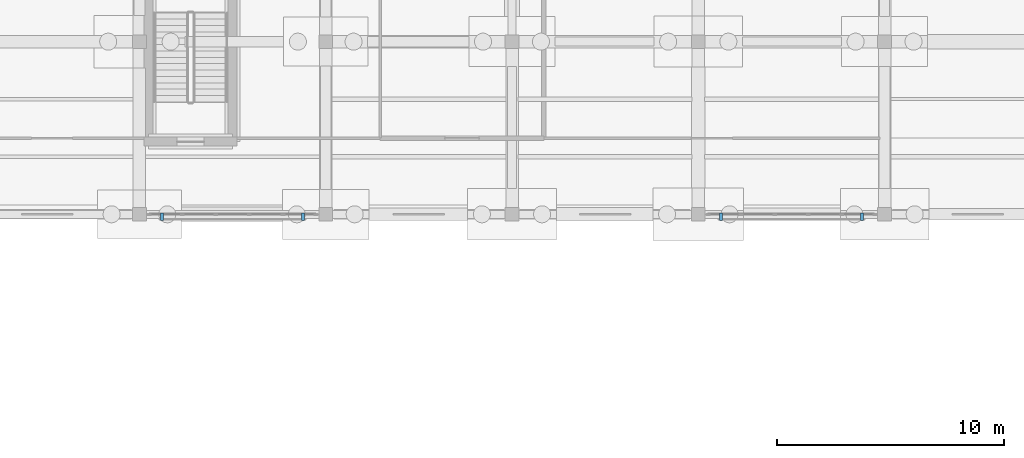
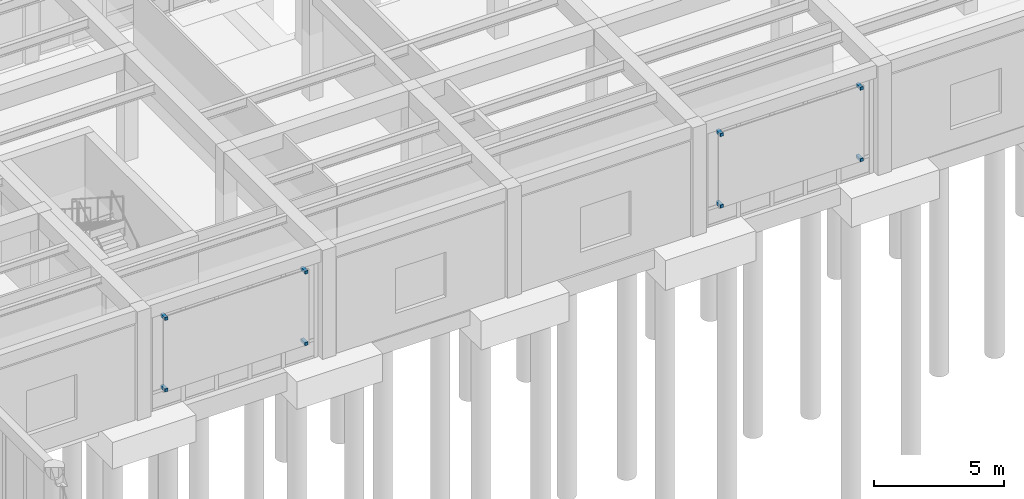
# One storey, part 52 of 64: 8 discrete accessories.
"""IFC4 building model written with IfcOpenShell, lengths in metres."""

from ifc_helpers import new_model, si_unit, direction, frame, origin, origin_2d, place, context, subcontext, project, spatial, rectangle, extrude, material, type_object, element, save


model = new_model("IFC4")

# Units and contexts
model_context = context("Model", 3, precision=1e-05, world=origin(), true_north=direction((0.0, 1.0)))
body_context = subcontext(model_context, "Body", "Model", "MODEL_VIEW")
ifc_project = project(units=[si_unit("LENGTHUNIT", "METRE"), si_unit("AREAUNIT", "SQUARE_METRE"), si_unit("VOLUMEUNIT", "CUBIC_METRE"), si_unit("PLANEANGLEUNIT", "RADIAN"), si_unit("MASSUNIT", "GRAM", prefix="KILO")], contexts=[model_context])

# Site, building, storey
site_placement = place(None, origin())
site = spatial("IfcSite", under=ifc_project, at=site_placement, CompositionType="ELEMENT")
building_placement = place(site_placement, origin())
building = spatial("IfcBuilding", under=site, at=building_placement, Name="Qandaris Square Conservatory and Botanical Centre", CompositionType="ELEMENT")
storey_placement = place(building_placement, origin())
storey = spatial("IfcBuildingStorey", under=building, at=storey_placement, Name="L00", CompositionType="ELEMENT", Elevation=0.0)

# Discrete accessories
ifc_material = material(Name="Steel S355", Category="steel")
discrete_accessory_type = type_object("IfcDiscreteAccessoryType", Name="Mashrabiya Support Outrigger Bracket", PredefinedType="BRACKET", material=ifc_material)
for number, where, z_axis, x_axis, name in (
    (1, (66.39990234375, 92.489990234375, 0.89990234375), (0.0, 0.0, 1.0), (1.0, 0.0, 0.0), "Mashrabiya Bracket CW-V3B-L00-1-2-BRK-6-10"),
    (2, (66.39990234375, 92.489990234375, 4.25), (0.0, 0.0, 1.0), (1.0, 0.0, 0.0), "Mashrabiya Bracket CW-V3B-L00-1-2-BRK-6-43"),
    (3, (72.60009765625, 92.489990234375, 0.89990234375), (0.0, 0.0, 1.0), (1.0, 0.0, 0.0), "Mashrabiya Bracket CW-V3B-L00-1-2-BRK-68-10"),
    (4, (72.60009765625, 92.489990234375, 4.25), (0.0, 0.0, 1.0), (1.0, 0.0, 0.0), "Mashrabiya Bracket CW-V3B-L00-1-2-BRK-68-43"),
    (5, (91.0, 92.489990234375, 0.89990234375), (0.0, 0.0, 1.0), (1.0, 0.0, 0.0), "Mashrabiya Bracket CW-V3B-L00-1-5-BRK-6-10"),
    (6, (91.0, 92.489990234375, 4.25), (0.0, 0.0, 1.0), (1.0, 0.0, 0.0), "Mashrabiya Bracket CW-V3B-L00-1-5-BRK-6-43"),
    (7, (97.199951171875, 92.489990234375, 0.89990234375), (0.0, 0.0, 1.0), (1.0, 0.0, 0.0), "Mashrabiya Bracket CW-V3B-L00-1-5-BRK-68-10"),
    (8, (97.199951171875, 92.489990234375, 4.25), (0.0, 0.0, 1.0), (1.0, 0.0, 0.0), "Mashrabiya Bracket CW-V3B-L00-1-5-BRK-68-43"),
):
    element("IfcDiscreteAccessory", number, at=place(storey_placement, frame(where, z_axis=z_axis, x_axis=x_axis)), inside=storey, type_object=discrete_accessory_type, Name=name, PredefinedType="BRACKET", context=body_context, shape_type="SweptSolid", body=[
        extrude(rectangle(XDim=0.139892578125, YDim=0.340087890625, at=origin_2d()), origin(), (0.0, 0.0, 1.0), 0.139892578125),
    ])

save(model, "model.ifc")
